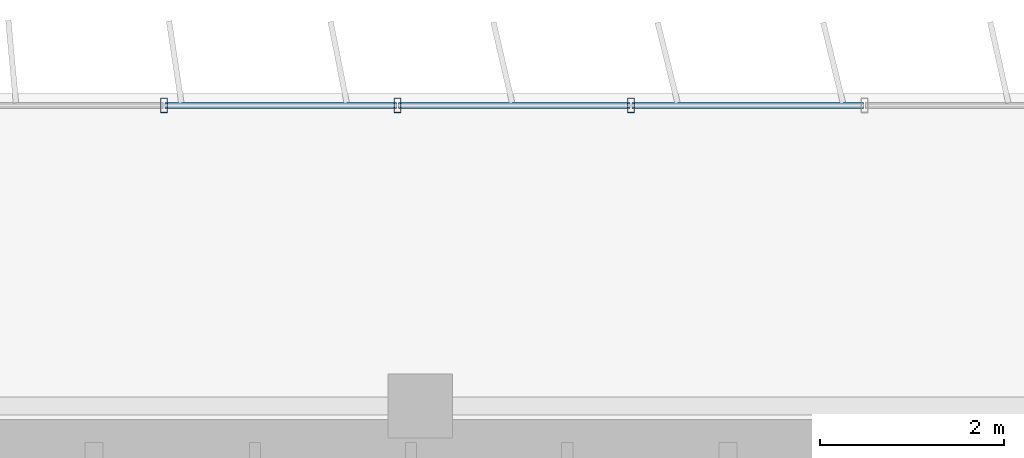
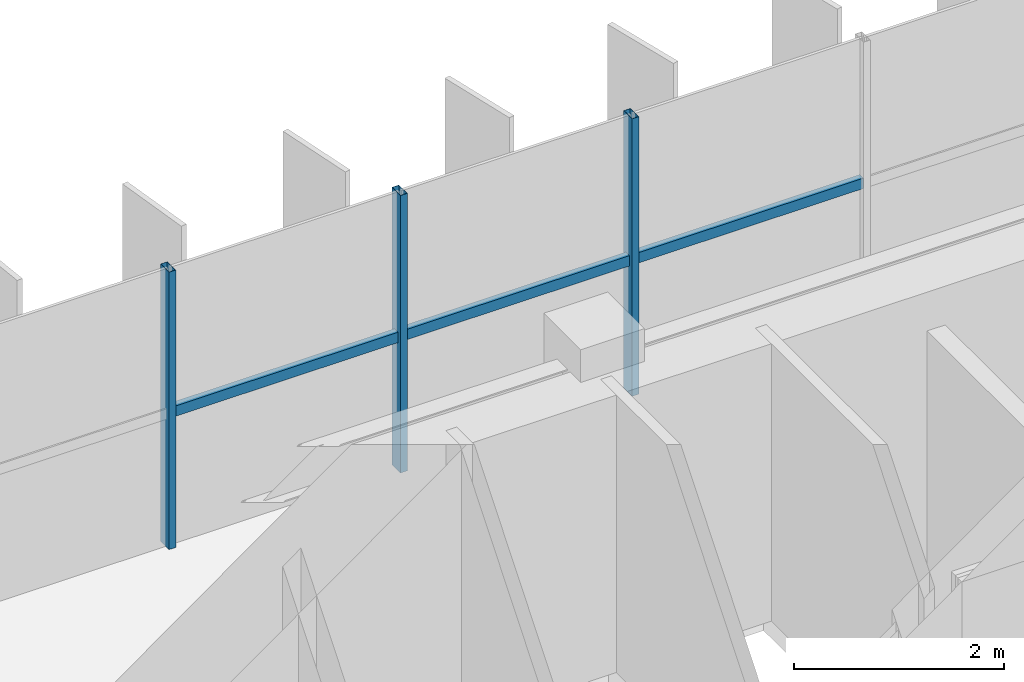
# One storey, part 15 of 27: 6 members, 1 element without a shape of its own.
"""IFC4 building model written with IfcOpenShell, lengths in metres."""

from ifc_helpers import new_model, si_unit, direction, frame, origin, origin_2d, place, context, subcontext, project, spatial, hollow_rectangle, extrude, source, transform, mapped, material, material_profile, profile_set, type_object, element, aggregate, save


model = new_model("IFC4")

# Units and contexts
model_context = context("Model", 3, precision=1e-05, world=origin(), true_north=direction((0.0, 1.0)))
body_context = subcontext(model_context, "Body", "Model", "MODEL_VIEW")
ifc_project = project(units=[si_unit("LENGTHUNIT", "METRE"), si_unit("AREAUNIT", "SQUARE_METRE"), si_unit("VOLUMEUNIT", "CUBIC_METRE"), si_unit("PLANEANGLEUNIT", "RADIAN"), si_unit("MASSUNIT", "GRAM", prefix="KILO")], contexts=[model_context])

# Site, building, storey
site_placement = place(None, origin())
site = spatial("IfcSite", under=ifc_project, at=site_placement, CompositionType="ELEMENT")
building_placement = place(site_placement, origin())
building = spatial("IfcBuilding", under=site, at=building_placement, Name="Trelvane Seafront Commons", CompositionType="ELEMENT")
storey_placement = place(building_placement, frame((0.0, 0.0, 237.300048828125)))
storey = spatial("IfcBuildingStorey", under=building, at=storey_placement, Name="L62", CompositionType="ELEMENT", Elevation=237.300048828125)

# Curtain wall, members
ifc_material = material(Name="Anodised pale-silver aluminium", Category="aluminium")
curtain_wall_type = type_object("IfcCurtainWallType", Name="ARCH-CW5-UPTOWER", PredefinedType="NOTDEFINED", material=ifc_material)
curtain_wall_placement = place(storey_placement, origin())
curtain_wall = element("IfcCurtainWall", 1, at=curtain_wall_placement, inside=storey, type_object=curtain_wall_type, Name="CW-L62-0106", PredefinedType="NOTDEFINED")
ifc_material_profile_1 = material_profile(ifc_material, hollow_rectangle(XDim=0.070068359375, YDim=0.1201171875, WallThickness=0.00390625, at=origin_2d()), Name="TRAN-70x120x4")
ifc_profile_set_1 = profile_set([ifc_material_profile_1], Name="Anodised pale-silver aluminium")
member_type_1 = type_object("IfcMemberType", Name="ARCH-CW-TRAN-120", PredefinedType="USERDEFINED", material=ifc_profile_set_1)
shared_shape_1 = source(origin(), body_context, "Body", "SweptSolid", [
    extrude(hollow_rectangle(XDim=0.070068359375, YDim=0.1201171875, WallThickness=0.00390625, at=origin_2d()), origin(), (0.0, 0.0, 1.0), 2.51708984375),
])
member_1_placement = place(storey_placement, frame((43.56494140625, 48.3701171875, 1.5458984375), z_axis=(1.0, 0.0, 0.0), x_axis=(0.0, 1.0, 0.0)))
member_1 = element("IfcMember", 2, at=member_1_placement, type_object=member_type_1, Name="CW-L62-0106-T11", ObjectType="TRANSOM", PredefinedType="USERDEFINED", context=body_context, shape_type="MappedRepresentation", body=[
    mapped(shared_shape_1, transform((0.0, 0.0, 0.0), x_axis=(1.0, 0.0, 0.0), y_axis=(0.0, 1.0, 0.0), z_axis=(0.0, 0.0, 1.0), scale=1.0)),
])
member_2_placement = place(storey_placement, frame((46.106201171875, 48.3701171875, 1.5458984375), z_axis=(1.0, 0.0, 0.0), x_axis=(0.0, 1.0, 0.0)))
member_2 = element("IfcMember", 3, at=member_2_placement, type_object=member_type_1, Name="CW-L62-0106-T12", ObjectType="TRANSOM", PredefinedType="USERDEFINED", context=body_context, shape_type="MappedRepresentation", body=[
    mapped(shared_shape_1, transform((0.0, 0.0, 0.0), x_axis=(1.0, 0.0, 0.0), y_axis=(0.0, 1.0, 0.0), z_axis=(0.0, 0.0, 1.0), scale=1.0)),
])
shared_shape_2 = source(origin(), body_context, "Body", "SweptSolid", [
    extrude(hollow_rectangle(XDim=0.070068359375, YDim=0.1201171875, WallThickness=0.00390625, at=origin_2d()), origin(), (0.0, 0.0, 1.0), 2.517333984375),
])
member_3_placement = place(storey_placement, frame((41.023681640625, 48.3701171875, 1.5458984375), z_axis=(1.0, 0.0, 0.0), x_axis=(0.0, 1.0, 0.0)))
member_3 = element("IfcMember", 4, at=member_3_placement, type_object=member_type_1, Name="CW-L62-0106-T10", ObjectType="TRANSOM", PredefinedType="USERDEFINED", context=body_context, shape_type="MappedRepresentation", body=[
    mapped(shared_shape_2, transform((0.0, 0.0, 0.0), x_axis=(1.0, 0.0, 0.0), y_axis=(0.0, 1.0, 0.0), z_axis=(0.0, 0.0, 1.0), scale=1.0)),
])
ifc_material_profile_2 = material_profile(ifc_material, hollow_rectangle(XDim=0.074951171875, YDim=0.159912109375, WallThickness=0.00390625, at=origin_2d()), Name="MULL-75x160x4")
ifc_profile_set_2 = profile_set([ifc_material_profile_2], Name="Anodised pale-silver aluminium")
member_type_2 = type_object("IfcMemberType", Name="ARCH-CW-MULL-160", PredefinedType="MULLION", material=ifc_profile_set_2)
shared_shape_3 = source(origin(), body_context, "Body", "SweptSolid", [
    extrude(hollow_rectangle(XDim=0.074951171875, YDim=0.159912109375, WallThickness=0.00390625, at=origin_2d()), origin(), (0.0, 0.0, 1.0), 3.219970703125),
])
member_4_placement = place(storey_placement, frame((41.01171875, 48.3701171875, 0.0), z_axis=(0.0, 0.0, 1.0), x_axis=(1.0, 0.0, 0.0)))
member_4 = element("IfcMember", 5, at=member_4_placement, type_object=member_type_2, Name="CW-L62-0106-M10", PredefinedType="MULLION", context=body_context, shape_type="MappedRepresentation", body=[
    mapped(shared_shape_3, transform((0.0, 0.0, 0.0), x_axis=(1.0, 0.0, 0.0), y_axis=(0.0, 1.0, 0.0), z_axis=(0.0, 0.0, 1.0), scale=1.0)),
])
member_5_placement = place(storey_placement, frame((43.552978515625, 48.3701171875, 0.0), z_axis=(0.0, 0.0, 1.0), x_axis=(1.0, 0.0, 0.0)))
member_5 = element("IfcMember", 6, at=member_5_placement, type_object=member_type_2, Name="CW-L62-0106-M11", PredefinedType="MULLION", context=body_context, shape_type="MappedRepresentation", body=[
    mapped(shared_shape_3, transform((0.0, 0.0, 0.0), x_axis=(1.0, 0.0, 0.0), y_axis=(0.0, 1.0, 0.0), z_axis=(0.0, 0.0, 1.0), scale=1.0)),
])
member_6_placement = place(storey_placement, frame((46.093994140625, 48.3701171875, 0.0), z_axis=(0.0, 0.0, 1.0), x_axis=(1.0, 0.0, 0.0)))
member_6 = element("IfcMember", 7, at=member_6_placement, type_object=member_type_2, Name="CW-L62-0106-M12", PredefinedType="MULLION", context=body_context, shape_type="MappedRepresentation", body=[
    mapped(shared_shape_3, transform((0.0, 0.0, 0.0), x_axis=(1.0, 0.0, 0.0), y_axis=(0.0, 1.0, 0.0), z_axis=(0.0, 0.0, 1.0), scale=1.0)),
])
aggregate(curtain_wall, [member_4, member_5, member_6, member_3, member_1, member_2])

save(model, "model.ifc")
